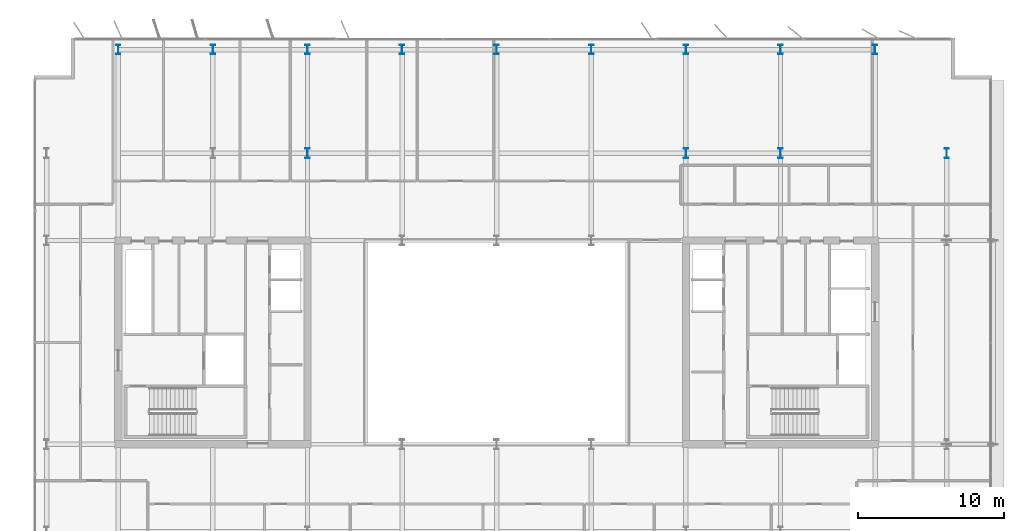
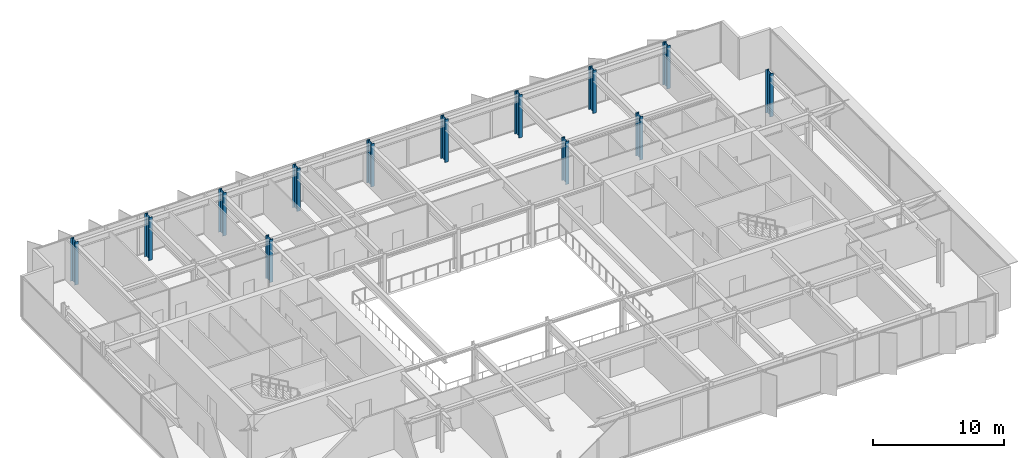
# One storey, part 3 of 20: 13 columns.
"""IFC4 building model written with IfcOpenShell, lengths in metres."""

from ifc_helpers import new_model, si_unit, direction, frame, origin, origin_2d, place, context, subcontext, project, spatial, i_section, extrude, material, material_profile, profile_set, type_object, element, save


model = new_model("IFC4")

# Units and contexts
model_context = context("Model", 3, precision=1e-05, world=origin(), true_north=direction((0.0, 1.0)))
body_context = subcontext(model_context, "Body", "Model", "MODEL_VIEW")
ifc_project = project(units=[si_unit("LENGTHUNIT", "METRE"), si_unit("AREAUNIT", "SQUARE_METRE"), si_unit("VOLUMEUNIT", "CUBIC_METRE"), si_unit("PLANEANGLEUNIT", "RADIAN"), si_unit("MASSUNIT", "GRAM", prefix="KILO")], contexts=[model_context])

# Site, building, storey
site_placement = place(None, origin())
site = spatial("IfcSite", under=ifc_project, at=site_placement, CompositionType="ELEMENT")
building_placement = place(site_placement, origin())
building = spatial("IfcBuilding", under=site, at=building_placement, Name="Putna Gate Headquarters", CompositionType="ELEMENT")
storey_placement = place(building_placement, frame((0.0, 0.0, 286.39990234375)))
storey = spatial("IfcBuildingStorey", under=building, at=storey_placement, Name="L72", CompositionType="ELEMENT", Elevation=286.39990234375)

# Columns
ifc_material = material(Name="Steel S460M", Category="steel")
ifc_material_profile_1 = material_profile(ifc_material, i_section(OverallWidth=0.304931640625, OverallDepth=0.66796875, WebThickness=0.02099609375, FlangeThickness=0.0400390625, at=origin_2d()), Name="Steel S460M")
ifc_profile_set_1 = profile_set([ifc_material_profile_1], Name="Steel S460M")
column_type_1 = type_object("IfcColumnType", Name="COL-STL-HEM650-EXT", PredefinedType="COLUMN", material=ifc_profile_set_1)
for number, where, z_axis, x_axis, name in (
    (1, (13.0, 46.1201171875, 0.0), (0.0, 0.0, 1.0), (1.0, 0.0, 0.0), "L72 Column CP-N13"),
    (2, (19.5, 46.1201171875, 0.0), (0.0, 0.0, 1.0), (1.0, 0.0, 0.0), "L72 Column CP-N19"),
    (3, (26.0, 46.1201171875, 0.0), (0.0, 0.0, 1.0), (1.0, 0.0, 0.0), "L72 Column CP-N26"),
    (4, (32.5, 46.1201171875, 0.0), (0.0, 0.0, 1.0), (1.0, 0.0, 0.0), "L72 Column CP-N32"),
    (5, (39.0, 46.1201171875, 0.0), (0.0, 0.0, 1.0), (1.0, 0.0, 0.0), "L72 Column CP-N39"),
    (6, (45.5, 46.1201171875, 0.0), (0.0, 0.0, 1.0), (1.0, 0.0, 0.0), "L72 Column CP-N45"),
    (7, (52.0, 46.1201171875, 0.0), (0.0, 0.0, 1.0), (1.0, 0.0, 0.0), "L72 Column CP-N52"),
    (8, (58.5, 46.1201171875, 0.0), (0.0, 0.0, 1.0), (1.0, 0.0, 0.0), "L72 Column CP-N58"),
    (9, (65.0, 46.1201171875, 0.0), (0.0, 0.0, 1.0), (1.0, 0.0, 0.0), "L72 Column CP-N65"),
    (10, (69.919921875, 39.0, 0.0), (0.0, 0.0, 1.0), (1.0, 0.0, 0.0), "L72 Column CP-E39"),
):
    element("IfcColumn", number, at=place(storey_placement, frame(where, z_axis=z_axis, x_axis=x_axis)), inside=storey, type_object=column_type_1, Name=name, PredefinedType="COLUMN", context=body_context, shape_type="SweptSolid", body=[
        extrude(i_section(OverallWidth=0.304931640625, OverallDepth=0.66796875, WebThickness=0.02099609375, FlangeThickness=0.0400390625, at=origin_2d()), origin(), (0.0, 0.0, 1.0), 4.0),
    ])
ifc_material_profile_2 = material_profile(ifc_material, i_section(OverallWidth=0.304931640625, OverallDepth=0.66796875, WebThickness=0.02099609375, FlangeThickness=0.0400390625, at=origin_2d()), Name="Steel S460M")
ifc_profile_set_2 = profile_set([ifc_material_profile_2], Name="Steel S460M")
column_type_2 = type_object("IfcColumnType", Name="COL-STL-HEM650-INT", PredefinedType="COLUMN", material=ifc_profile_set_2)
for number, where, z_axis, x_axis, name in (
    (11, (58.5, 39.0, 0.0), (0.0, 0.0, 1.0), (1.0, 0.0, 0.0), "L72 Column CSI-EN"),
    (12, (26.0, 39.0, 0.0), (0.0, 0.0, 1.0), (1.0, 0.0, 0.0), "L72 Column CAP-WN"),
    (13, (52.0, 39.0, 0.0), (0.0, 0.0, 1.0), (1.0, 0.0, 0.0), "L72 Column CAP-EN"),
):
    element("IfcColumn", number, at=place(storey_placement, frame(where, z_axis=z_axis, x_axis=x_axis)), inside=storey, type_object=column_type_2, Name=name, PredefinedType="COLUMN", context=body_context, shape_type="SweptSolid", body=[
        extrude(i_section(OverallWidth=0.304931640625, OverallDepth=0.66796875, WebThickness=0.02099609375, FlangeThickness=0.0400390625, at=origin_2d()), origin(), (0.0, 0.0, 1.0), 4.0),
    ])

save(model, "model.ifc")
